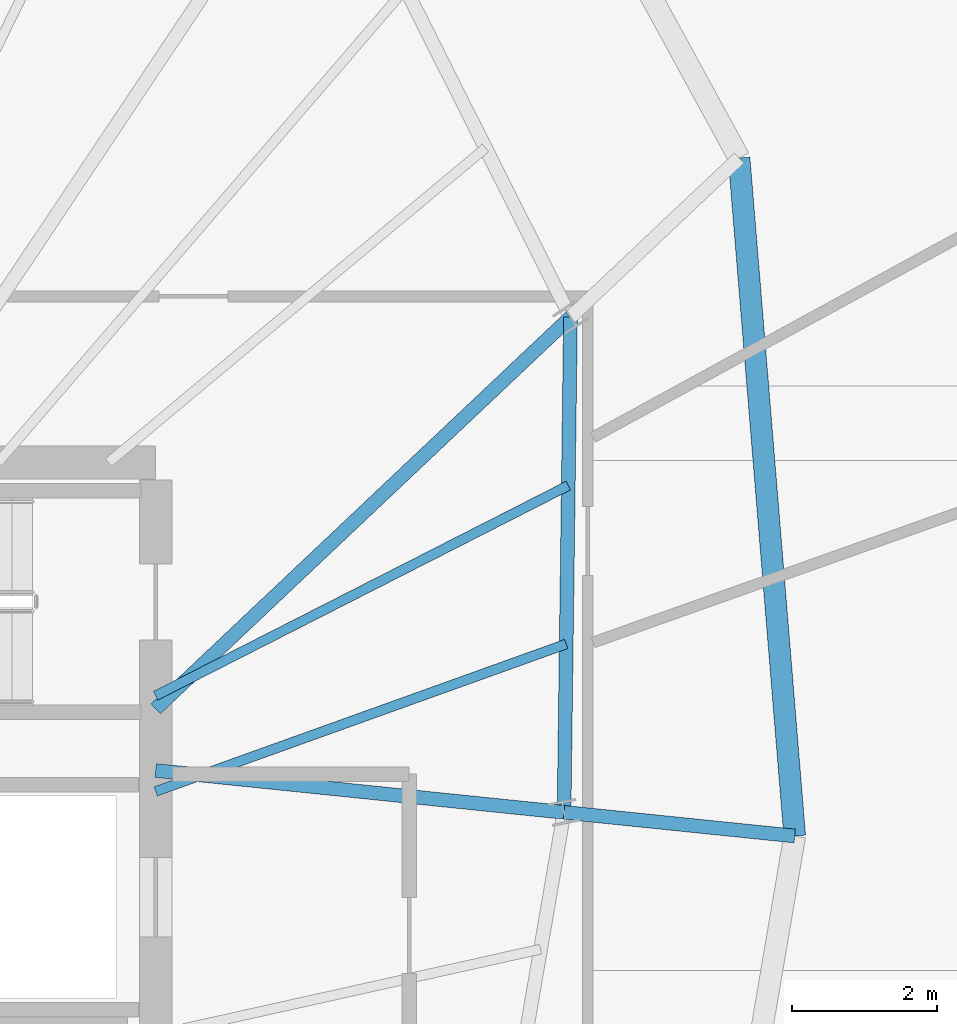
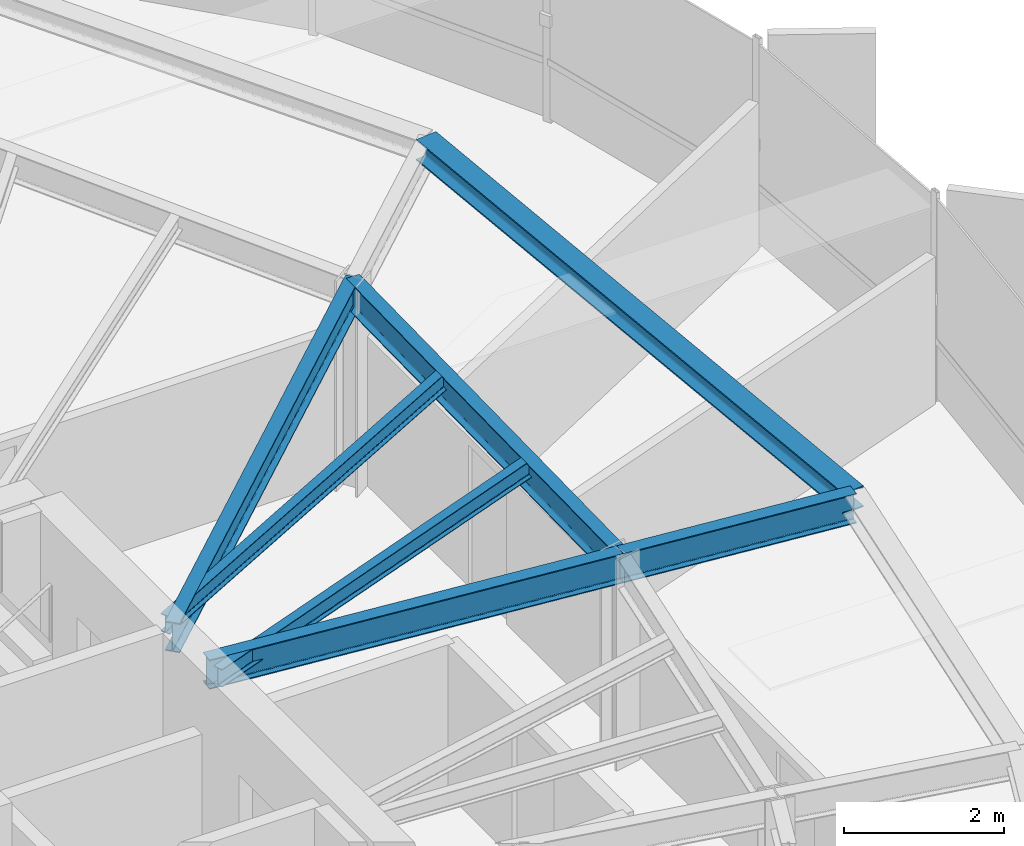
# One storey, part 17 of 36: 7 beams.
"""IFC4 building model written with IfcOpenShell, lengths in metres."""

import ifcopenshell
import ifcopenshell.guid

model = None  # the IFC model being written
_history = None  # IfcOwnerHistory: only IFC2X3 demands one
_inside = {}  # id of a spatial element -> (the spatial element, [elements in it])
_under = {}  # id of a project, library or spatial element -> (it, [spatial elements below it])
_declared = {}  # id of a project -> (the project, [libraries it declares])
_typed = {}  # id of a type object -> (the type object, [elements of that type])
_made_of = {}  # id of a material, layer set ... -> (it, [elements and type objects made of it])


def new_model(schema):
    """Start an empty IFC model of exactly this schema.

    Asked for "IFC4X3", IfcOpenShell would pick the latest addendum, in which some entities
    have other attributes; the version numbers below select the first issue.
    IFC2X3 requires an IfcOwnerHistory on every rooted entity: one is made here for all.
    """
    global model, _history
    if schema == "IFC4X3":
        model = ifcopenshell.file(schema_version=(4, 3, 0, 0))
    else:
        model = ifcopenshell.file(schema=schema)
    _inside.clear()
    _under.clear()
    _declared.clear()
    _typed.clear()
    _made_of.clear()
    _history = None
    if model.schema == "IFC2X3":
        org = make("IfcOrganization", Name="unknown")
        user = make(
            "IfcPersonAndOrganization",
            ThePerson=make("IfcPerson", FamilyName="unknown"),
            TheOrganization=org,
        )
        app = make(
            "IfcApplication",
            ApplicationDeveloper=org,
            Version="unknown",
            ApplicationFullName="unknown",
            ApplicationIdentifier="unknown",
        )
        _history = make(
            "IfcOwnerHistory",
            OwningUser=user,
            OwningApplication=app,
            ChangeAction="ADDED",
            CreationDate=0,
        )
    return model


def make(cls, **values):
    """One entity of the class cls with the attributes given. An attribute that is None is left unset."""
    return model.create_entity(
        cls, **{name: value for name, value in values.items() if value is not None}
    )


def rooted(cls, **values):
    """An entity with a GlobalId (a new one), such as an element, a storey or a relation."""
    return make(cls, GlobalId=ifcopenshell.guid.new(), OwnerHistory=_history, **values)


def si_unit(unit_type, name, prefix=None):
    """IfcSIUnit, for example si_unit("LENGTHUNIT", "METRE", prefix="MILLI")."""
    return make("IfcSIUnit", UnitType=unit_type, Prefix=prefix, Name=name)


def assignment(units):
    """IfcUnitAssignment: the units of a project."""
    return None if units is None else make("IfcUnitAssignment", Units=units)


def point(xyz):
    """IfcCartesianPoint."""
    return None if xyz is None else make("IfcCartesianPoint", Coordinates=xyz)


def direction(xyz):
    """IfcDirection."""
    return None if xyz is None else make("IfcDirection", DirectionRatios=xyz)


def frame(location, z_axis=None, x_axis=None):
    """IfcAxis2Placement3D, a coordinate frame: its origin and axes. An axis left out is left unset."""
    return make(
        "IfcAxis2Placement3D",
        Location=point(location),
        Axis=direction(z_axis),
        RefDirection=direction(x_axis),
    )


def frame_2d(location, x_axis=None):
    """IfcAxis2Placement2D, a coordinate frame in the plane: its origin and x axis."""
    return make(
        "IfcAxis2Placement2D", Location=point(location), RefDirection=direction(x_axis)
    )


def origin():
    """The frame at (0, 0, 0) with its axes left unset."""
    return frame((0.0, 0.0, 0.0))


def origin_2d():
    """The frame at (0, 0) in the plane with its x axis left unset."""
    return frame_2d((0.0, 0.0))


def place(relative_to, where):
    """IfcLocalPlacement: puts the frame where relative to a parent placement (None: the world)."""
    return make(
        "IfcLocalPlacement", PlacementRelTo=relative_to, RelativePlacement=where
    )


def context(
    kind, dimensions, precision=None, world=None, true_north=None, identifier=None
):
    """IfcGeometricRepresentationContext, for example the 3D "Model" context."""
    return make(
        "IfcGeometricRepresentationContext",
        ContextIdentifier=identifier,
        ContextType=kind,
        CoordinateSpaceDimension=dimensions,
        Precision=precision,
        WorldCoordinateSystem=world,
        TrueNorth=true_north,
    )


def subcontext(parent, identifier, kind, view, scale=None):
    """IfcGeometricRepresentationSubContext, for example "Body" below "Model"."""
    return make(
        "IfcGeometricRepresentationSubContext",
        ContextIdentifier=identifier,
        ContextType=kind,
        ParentContext=parent,
        TargetScale=scale,
        TargetView=view,
    )


def project(units=None, contexts=None):
    """IfcProject with its units and contexts."""
    return rooted(
        "IfcProject",
        Name="project",
        RepresentationContexts=contexts,
        UnitsInContext=assignment(units),
    )


def spatial(cls, under=None, at=None, **own):
    """A site, building, storey or space (cls), placed at a placement, below another one or the project."""
    s = rooted(cls, ObjectPlacement=at, **own)
    if under is not None:
        _under.setdefault(under.id(), (under, []))[1].append(s)
    return s


def profile(cls, at=None, kind="AREA", **sizes):
    """A parametric profile (cls). Its sizes go by their IFC names, for example OverallWidth=200.0."""
    return make(cls, ProfileType=kind, Position=at, **sizes)


def i_section(**sizes):
    """IfcIShapeProfileDef."""
    return profile("IfcIShapeProfileDef", **sizes)


def extrude(swept, where, along, depth):
    """IfcExtrudedAreaSolid: the profile swept, set in the frame where, extruded along a direction by depth."""
    return make(
        "IfcExtrudedAreaSolid",
        SweptArea=swept,
        Position=where,
        ExtrudedDirection=direction(along),
        Depth=depth,
    )


def shape(context_of_items, identifier, shape_type, items):
    """IfcShapeRepresentation: the items that make up one representation, for example the "Body"."""
    return make(
        "IfcShapeRepresentation",
        ContextOfItems=context_of_items,
        RepresentationIdentifier=identifier,
        RepresentationType=shape_type,
        Items=items,
    )


def source(mapping_origin, context_of_items, identifier, shape_type, items):
    """IfcRepresentationMap: a shape defined once, which mapped items show again and again."""
    return make(
        "IfcRepresentationMap",
        MappingOrigin=mapping_origin,
        MappedRepresentation=shape(context_of_items, identifier, shape_type, items),
    )


def transform(
    local_origin,
    x_axis=None,
    y_axis=None,
    z_axis=None,
    scale=None,
    scale2=None,
    scale3=None,
    uniform=True,
):
    """IfcCartesianTransformationOperator3D, or its non-uniform kind. x_axis, y_axis, z_axis: its Axis1, 2, 3."""
    if uniform:
        return make(
            "IfcCartesianTransformationOperator3D",
            Axis1=direction(x_axis),
            Axis2=direction(y_axis),
            LocalOrigin=point(local_origin),
            Scale=scale,
            Axis3=direction(z_axis),
        )
    return make(
        "IfcCartesianTransformationOperator3DnonUniform",
        Axis1=direction(x_axis),
        Axis2=direction(y_axis),
        LocalOrigin=point(local_origin),
        Scale=scale,
        Axis3=direction(z_axis),
        Scale2=scale2,
        Scale3=scale3,
    )


def mapped(mapping_source, mapping_target):
    """IfcMappedItem: shows the shape of a source again, moved by a transform."""
    return make(
        "IfcMappedItem", MappingSource=mapping_source, MappingTarget=mapping_target
    )


def material(Name=None, Category=None):
    """IfcMaterial."""
    return make("IfcMaterial", Name=Name, Category=Category)


def material_profile(
    of_material, cross_section, Name=None, Category=None, Priority=None
):
    """IfcMaterialProfile: a cross section and its material."""
    return make(
        "IfcMaterialProfile",
        Name=Name,
        Material=of_material,
        Profile=cross_section,
        Priority=Priority,
        Category=Category,
    )


def profile_set(profiles, Name=None, composite=None):
    """IfcMaterialProfileSet."""
    return make(
        "IfcMaterialProfileSet",
        Name=Name,
        MaterialProfiles=profiles,
        CompositeProfile=composite,
    )


def made_of(thing, what):
    """Note that an element or type object is made of a material, layer set ...; save() writes the relation."""
    if what is not None:
        _made_of.setdefault(what.id(), (what, []))[1].append(thing)
    return thing


def type_object(cls, material=None, **own):
    """A type object (cls), such as IfcWallType, which elements share."""
    return made_of(rooted(cls, **own), material)


def element(
    cls,
    number,
    at=None,
    inside=None,
    cuts=None,
    type_object=None,
    material=None,
    context=None,
    identifier="Body",
    shape_type=None,
    held_by="IfcProductDefinitionShape",
    body=None,
    shapes=None,
    **own,
):
    """One element of the class cls, such as IfcWall. Its Tag is "e" and its number.

    at: its placement. inside: the storey or other place that contains it. cuts: it is an
    opening in that element (IfcRelVoidsElement). A single representation is given by context,
    identifier, shape_type and body (its items); several are given by shapes. held_by: the class
    of the entity that holds the representations. save() writes the other relations.
    """
    e = rooted(cls, Tag="e%d" % number, ObjectPlacement=at, **own)
    if body is not None:
        shapes = [shape(context, identifier, shape_type, body)]
    if shapes is not None:
        e.Representation = make(held_by, Representations=shapes)
    if inside is not None:
        _inside.setdefault(inside.id(), (inside, []))[1].append(e)
    if cuts is not None:
        rooted(
            "IfcRelVoidsElement", RelatingBuildingElement=cuts, RelatedOpeningElement=e
        )
    if type_object is not None:
        _typed.setdefault(type_object.id(), (type_object, []))[1].append(e)
    return made_of(e, material)


def aggregate(whole, parts):
    """IfcRelAggregates: a whole, such as a stair, and the parts it consists of."""
    return rooted("IfcRelAggregates", RelatingObject=whole, RelatedObjects=parts)


def save(model, path):
    """Write the relations noted so far, then the file.

    IfcRelAggregates (storeys below a building ...), IfcRelContainedInSpatialStructure (elements
    in a storey), IfcRelDefinesByType, IfcRelAssociatesMaterial and IfcRelDeclares: one each for
    every whole, place, type object, material and project.
    """
    for whole, parts in _under.values():
        aggregate(whole, parts)
    for where, things in _inside.values():
        rooted(
            "IfcRelContainedInSpatialStructure",
            RelatedElements=things,
            RelatingStructure=where,
        )
    for kind, things in _typed.values():
        rooted("IfcRelDefinesByType", RelatedObjects=things, RelatingType=kind)
    for what, things in _made_of.values():
        rooted("IfcRelAssociatesMaterial", RelatedObjects=things, RelatingMaterial=what)
    for by, libraries in _declared.values():
        rooted("IfcRelDeclares", RelatingContext=by, RelatedDefinitions=libraries)
    model.write(path)


model = new_model("IFC4")

# Units and contexts
model_context = context("Model", 3, precision=1e-05, world=origin(), true_north=direction((0.0, 1.0)))
body_context = subcontext(model_context, "Body", "Model", "MODEL_VIEW")
ifc_project = project(units=[si_unit("LENGTHUNIT", "METRE"), si_unit("AREAUNIT", "SQUARE_METRE"), si_unit("VOLUMEUNIT", "CUBIC_METRE"), si_unit("PLANEANGLEUNIT", "RADIAN"), si_unit("MASSUNIT", "GRAM", prefix="KILO"), si_unit("THERMODYNAMICTEMPERATUREUNIT", "KELVIN")], contexts=[model_context])

# Site, building, storey
site_placement = place(None, origin())
site = spatial("IfcSite", under=ifc_project, at=site_placement, CompositionType="ELEMENT")
building_placement = place(site_placement, origin())
building = spatial("IfcBuilding", under=site, at=building_placement, Name="Kethvar Cultural Tower", CompositionType="ELEMENT")
storey_placement = place(building_placement, frame((0.0, 0.0, 242.199951171875)))
storey = spatial("IfcBuildingStorey", under=building, at=storey_placement, Name="L63", CompositionType="ELEMENT", Elevation=242.199951171875)

# Beams
ifc_material = material(Name="Steel S355J2", Category="steel")
ifc_material_profile_1 = material_profile(ifc_material, i_section(OverallWidth=0.18994140625, OverallDepth=0.449951171875, WebThickness=0.009521484375, FlangeThickness=0.0146484375, FilletRadius=0.02099609375, at=origin_2d()), Name="Steel S355J2 — IPE450")
ifc_profile_set_1 = profile_set([ifc_material_profile_1], Name="Steel S355J2 — IPE450")
beam_type_1 = type_object("IfcBeamType", Name="BM-IPE450", PredefinedType="BEAM", material=ifc_profile_set_1)
shared_shape_1 = source(origin(), body_context, "Body", "SweptSolid", [
    extrude(i_section(OverallWidth=0.18994140625, OverallDepth=0.449951171875, WebThickness=0.009521484375, FlangeThickness=0.0146484375, FilletRadius=0.02099609375, at=origin_2d()), origin(), (0.0, 0.0, 1.0), 5.66650390625),
])
beam_1_placement = place(storey_placement, frame((55.60009765625, 31.25, 2.983154296875), z_axis=(0.994777513459, -0.102067128476, 0.0), x_axis=(0.102067128476, 0.994777513459, 0.0)))
element("IfcBeam", 1, at=beam_1_placement, inside=storey, type_object=beam_type_1, Name="L63 Primary Radial Beam RB-01", PredefinedType="BEAM", context=body_context, shape_type="MappedRepresentation", body=[
    mapped(shared_shape_1, transform((0.0, 0.0, 0.0), scale=1.0)),
])
shared_shape_2 = source(origin(), body_context, "Body", "SweptSolid", [
    extrude(i_section(OverallWidth=0.18994140625, OverallDepth=0.449951171875, WebThickness=0.009521484375, FlangeThickness=0.0146484375, FilletRadius=0.02099609375, at=origin_2d()), origin(), (0.0, 0.0, 1.0), 3.199951171875),
])
beam_2_placement = place(storey_placement, frame((61.237060546875, 30.671630859375, 2.983154296875), z_axis=(0.994784019447, -0.10200369921, 0.0), x_axis=(0.10200369921, 0.994784019447, 0.0)))
element("IfcBeam", 2, at=beam_2_placement, inside=storey, type_object=beam_type_1, Name="L63 Perimeter Cantilever Beam RC-01", PredefinedType="BEAM", context=body_context, shape_type="MappedRepresentation", body=[
    mapped(shared_shape_2, transform((0.0, 0.0, 0.0), scale=1.0)),
])
shared_shape_3 = source(origin(), body_context, "Body", "SweptSolid", [
    extrude(i_section(OverallWidth=0.18994140625, OverallDepth=0.449951171875, WebThickness=0.009521484375, FlangeThickness=0.0146484375, FilletRadius=0.02099609375, at=origin_2d()), origin(), (0.0, 0.0, 1.0), 7.874267578125),
])
beam_3_placement = place(storey_placement, frame((55.60009765625, 32.10009765625, 2.983154296875), z_axis=(0.727123202456, 0.686506990823, 0.0), x_axis=(-0.686506990823, 0.727123202456, 0.0)))
element("IfcBeam", 3, at=beam_3_placement, inside=storey, type_object=beam_type_1, Name="L63 Primary Radial Beam RB-02", PredefinedType="BEAM", context=body_context, shape_type="MappedRepresentation", body=[
    mapped(shared_shape_3, transform((0.0, 0.0, 0.0), scale=1.0)),
])
shared_shape_4 = source(origin(), body_context, "Body", "SweptSolid", [
    extrude(i_section(OverallWidth=0.18994140625, OverallDepth=0.449951171875, WebThickness=0.009521484375, FlangeThickness=0.0146484375, FilletRadius=0.02099609375, at=origin_2d()), origin(), (0.0, 0.0, 1.0), 6.834716796875),
])
beam_4_placement = place(storey_placement, frame((61.237060546875, 30.671630859375, 2.983154296875), z_axis=(0.012966437445, 0.999915932216, 0.0), x_axis=(-0.999915932216, 0.012966437445, 0.0)))
element("IfcBeam", 4, at=beam_4_placement, inside=storey, type_object=beam_type_1, Name="L63 Column Ring Tie Beam CR-01", PredefinedType="BEAM", context=body_context, shape_type="MappedRepresentation", body=[
    mapped(shared_shape_4, transform((0.0, 0.0, 0.0), scale=1.0)),
])
ifc_material_profile_2 = material_profile(ifc_material, i_section(OverallWidth=0.300048828125, OverallDepth=0.320068359375, WebThickness=0.011474609375, FlangeThickness=0.0205078125, FilletRadius=0.027099609375, at=origin_2d()), Name="Steel S355J2 — HEB320")
ifc_profile_set_2 = profile_set([ifc_material_profile_2], Name="Steel S355J2 — HEB320")
beam_type_2 = type_object("IfcBeamType", Name="BM-SP320", PredefinedType="SPANDREL", material=ifc_profile_set_2)
shared_shape_5 = source(origin(), body_context, "Body", "SweptSolid", [
    extrude(i_section(OverallWidth=0.300048828125, OverallDepth=0.320068359375, WebThickness=0.011474609375, FlangeThickness=0.0205078125, FilletRadius=0.027099609375, at=origin_2d()), origin(), (0.0, 0.0, 1.0), 9.388916015625),
])
beam_5_placement = place(storey_placement, frame((64.42041015625, 30.34521484375, 3.048095703125), z_axis=(-0.08178004371, 0.996650402323, 0.0), x_axis=(-0.996650402323, -0.08178004371, 0.0)))
element("IfcBeam", 5, at=beam_5_placement, inside=storey, type_object=beam_type_2, Name="L63 Perimeter Spandrel Beam SP-01", PredefinedType="SPANDREL", context=body_context, shape_type="MappedRepresentation", body=[
    mapped(shared_shape_5, transform((0.0, 0.0, 0.0), scale=1.0)),
])
ifc_material_profile_3 = material_profile(ifc_material, i_section(OverallWidth=0.135009765625, OverallDepth=0.27001953125, WebThickness=0.006591796875, FlangeThickness=0.01025390625, FilletRadius=0.014892578125, at=origin_2d()), Name="Steel S355J2 — IPE270")
ifc_profile_set_3 = profile_set([ifc_material_profile_3], Name="Steel S355J2 — IPE270")
beam_type_3 = type_object("IfcBeamType", Name="BM-J270", PredefinedType="JOIST", material=ifc_profile_set_3)
shared_shape_6 = source(origin(), body_context, "Body", "SweptSolid", [
    extrude(i_section(OverallWidth=0.135009765625, OverallDepth=0.27001953125, WebThickness=0.006591796875, FlangeThickness=0.01025390625, FilletRadius=0.014892578125, at=origin_2d()), origin(), (0.0, 0.0, 1.0), 6.021240234375),
])
beam_6_placement = place(storey_placement, frame((55.60009765625, 30.960205078125, 3.072998046875), z_axis=(0.94114970072, 0.337990001086, 0.0), x_axis=(-0.337990001086, 0.94114970072, 0.0)))
element("IfcBeam", 6, at=beam_6_placement, inside=storey, type_object=beam_type_3, Name="L63 Composite Floor Joist J-01A", PredefinedType="JOIST", context=body_context, shape_type="MappedRepresentation", body=[
    mapped(shared_shape_6, transform((0.0, 0.0, 0.0), scale=1.0)),
])
shared_shape_7 = source(origin(), body_context, "Body", "SweptSolid", [
    extrude(i_section(OverallWidth=0.135009765625, OverallDepth=0.27001953125, WebThickness=0.006591796875, FlangeThickness=0.01025390625, FilletRadius=0.014892578125, at=origin_2d()), origin(), (0.0, 0.0, 1.0), 6.3916015625),
])
beam_7_placement = place(storey_placement, frame((55.60009765625, 32.281494140625, 3.072998046875), z_axis=(0.891094874615, 0.453817060538, 0.0), x_axis=(-0.453817060538, 0.891094874615, 0.0)))
element("IfcBeam", 7, at=beam_7_placement, inside=storey, type_object=beam_type_3, Name="L63 Composite Floor Joist J-01B", PredefinedType="JOIST", context=body_context, shape_type="MappedRepresentation", body=[
    mapped(shared_shape_7, transform((0.0, 0.0, 0.0), scale=1.0)),
])

save(model, "model.ifc")
